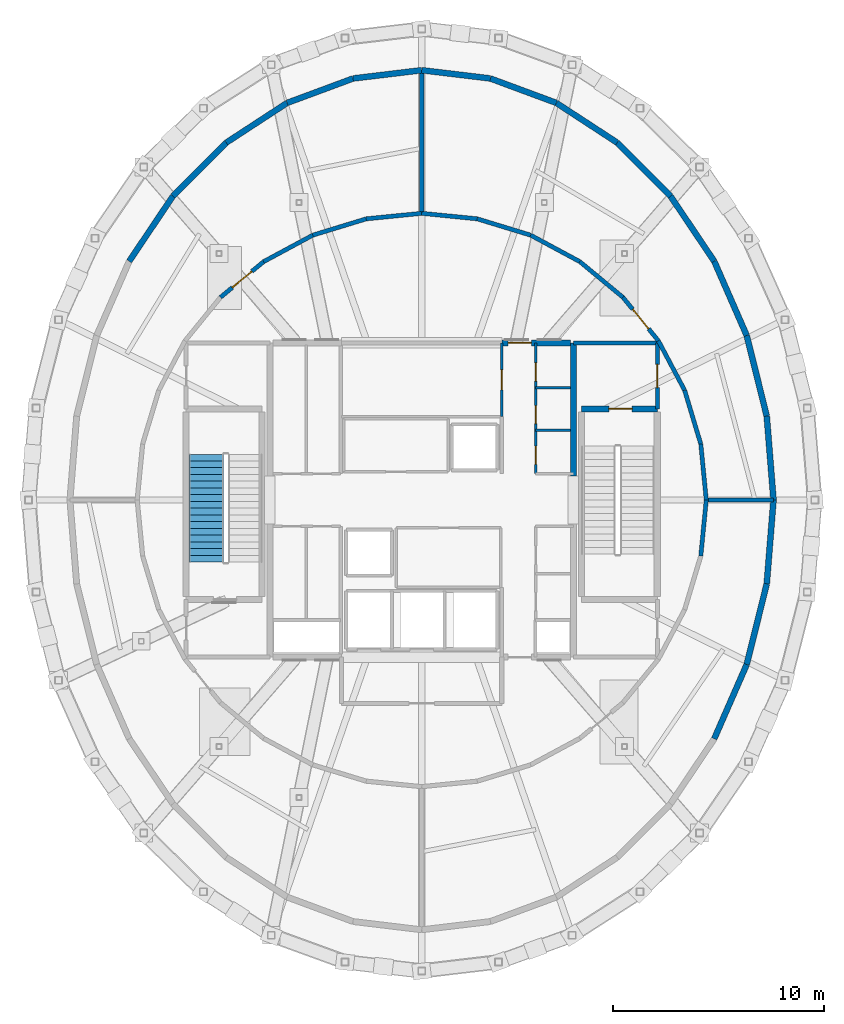
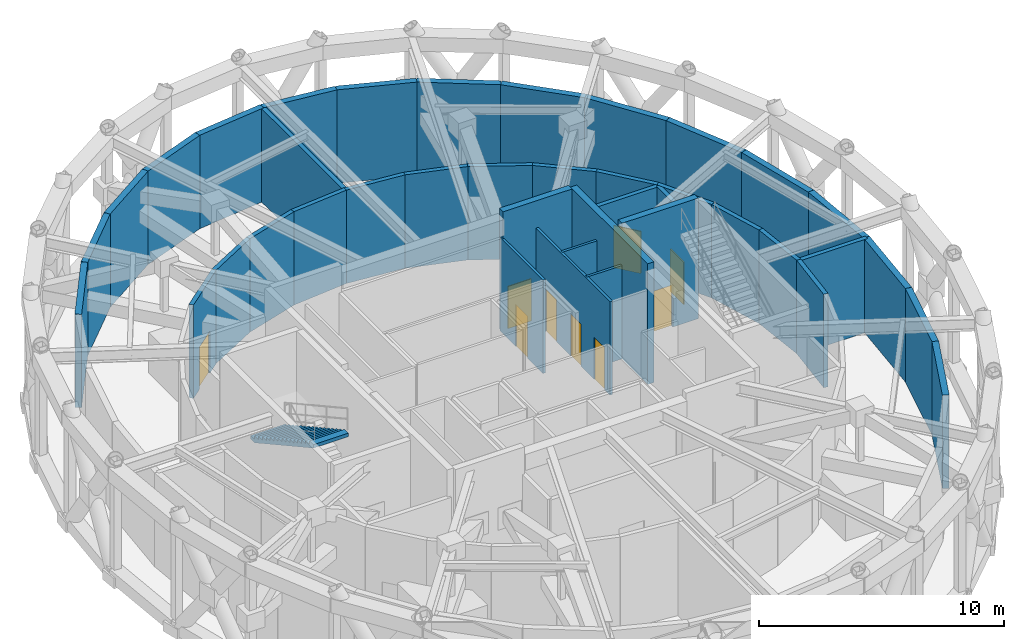
# One storey, part 8 of 11: 40 walls, 9 doors, 1 stair flight, 9 openings, 1 element without a shape of its own.
"""IFC4 building model written with IfcOpenShell, lengths in metres."""

from ifc_helpers import new_model, si_unit, direction, frame, frame_2d, origin, place, context, subcontext, project, spatial, polyline, rectangle, outline, extrude, material, layer, layer_set, type_object, element, fill, aggregate, save


model = new_model("IFC4")

# Units and contexts
model_context = context("Model", 3, precision=1e-05, world=origin(), true_north=direction((0.0, 1.0)))
body_context = subcontext(model_context, "Body", "Model", "MODEL_VIEW")
ifc_project = project(units=[si_unit("LENGTHUNIT", "METRE"), si_unit("AREAUNIT", "SQUARE_METRE"), si_unit("VOLUMEUNIT", "CUBIC_METRE"), si_unit("PLANEANGLEUNIT", "RADIAN"), si_unit("MASSUNIT", "GRAM", prefix="KILO")], contexts=[model_context])

# Site, building, storey
site_placement = place(None, origin())
site = spatial("IfcSite", under=ifc_project, at=site_placement, CompositionType="ELEMENT")
building_placement = place(site_placement, origin())
building = spatial("IfcBuilding", under=site, at=building_placement, Name="Veldorina Hangang Commons", CompositionType="ELEMENT")
storey_placement = place(building_placement, frame((0.0, 0.0, 302.39990234375)))
storey = spatial("IfcBuildingStorey", under=building, at=storey_placement, Name="L79", CompositionType="ELEMENT", Elevation=302.39990234375)

# Wall
ifc_material_1 = material(Name="Concrete C50/60", Category="concrete")
ifc_layer_1 = layer(ifc_material_1, 0.300048828125)
ifc_layer_set_1 = layer_set([ifc_layer_1], Name="Concrete C50/60")
wall_type_1 = type_object("IfcWallType", Name="CW-RC300-C50", PredefinedType="SHEAR", material=ifc_layer_set_1)
wall_1_placement = place(storey_placement, frame((39.199951171875, 25.14990234375, 0.0), z_axis=(0.0, 0.0, 1.0), x_axis=(0.0, 1.0, 0.0)))
element("IfcWall", 1, at=wall_1_placement, inside=storey, type_object=wall_type_1, Name="L79 E north core shear wall", PredefinedType="SHEAR", context=body_context, shape_type="SweptSolid", body=[
    extrude(rectangle(XDim=6.300048828125, YDim=0.300048828125, at=frame_2d((3.14990234375, 0.0))), origin(), (0.0, 0.0, 1.0), 6.0),
])

# Wall, opening, door
wall_2_placement = place(storey_placement, frame((35.800048828125, 31.449951171875, 0.0), z_axis=(0.0, 0.0, 1.0), x_axis=(1.0, 0.0, 0.0)))
wall_2 = element("IfcWall", 2, at=wall_2_placement, inside=storey, type_object=wall_type_1, Name="L79 north-east core shear wall", PredefinedType="SHEAR", context=body_context, shape_type="SweptSolid", body=[
    extrude(rectangle(XDim=3.25, YDim=0.300048828125, at=frame_2d((1.625, 0.0))), origin(), (0.0, 0.0, 1.0), 6.0),
])
opening_1_placement = place(wall_2_placement, frame((0.300048828125, 0.0, 0.0)))
opening_1 = element("IfcOpeningElement", 3, at=opening_1_placement, cuts=wall_2, Name="Opening D-08", PredefinedType="OPENING", context=body_context, shape_type="SweptSolid", body=[
    extrude(rectangle(XDim=1.10009765625, YDim=2.10009765625, at=frame_2d((0.550048828125, 1.050048828125))), frame((0.0, 0.16015625, 0.0), z_axis=(0.0, -1.0, 0.0), x_axis=(1.0, 0.0, 0.0)), (0.0, 0.0, 1.0), 0.320068359375),
])
ifc_material_2 = material(Name="Steel Fire-Rated Smoke Seal", Category="steel")
door_type_1 = type_object("IfcDoorType", Name="DR-FIRE-1100", OperationType="SINGLE_SWING_RIGHT", PredefinedType="DOOR", material=ifc_material_2)
door_1_placement = place(opening_1_placement, origin())
door_1 = element("IfcDoor", 4, at=door_1_placement, inside=storey, type_object=door_type_1, Name="L79 central lift lobby north corridor door", OperationType="SINGLE_SWING_LEFT", OverallHeight=2.10009765625, OverallWidth=1.10009765625, PredefinedType="DOOR", context=body_context, shape_type="SweptSolid", body=[
    extrude(rectangle(XDim=1.10009765625, YDim=2.10009765625, at=frame_2d((0.550048828125, 1.050048828125))), frame((0.0, 0.02490234375, 0.0), z_axis=(0.0, -1.0, 0.0), x_axis=(1.0, 0.0, 0.0)), (0.0, 0.0, 1.0), 0.050048828125),
])
fill(opening_1, door_1)

# Walls
ifc_material_3 = material(Name="Stone Roman Travertine", Category="masonry")
ifc_layer_2 = layer(ifc_material_3, 0.280029296875)
ifc_layer_set_2 = layer_set([ifc_layer_2], Name="Stone Roman Travertine")
wall_type_2 = type_object("IfcWallType", Name="EW-TRAV-280", PredefinedType="STANDARD", material=ifc_layer_set_2)
wall_3_placement = place(storey_placement, frame((48.68994140625, 24.0, 0.0), z_axis=(0.0, 0.0, 1.0), x_axis=(-0.080326348455, 0.996768617957, 0.0)))
element("IfcWall", 5, at=wall_3_placement, inside=storey, type_object=wall_type_2, Name="L79 top plant exterior stone wall 00", PredefinedType="STANDARD", context=body_context, shape_type="SweptSolid", body=[
    extrude(rectangle(XDim=3.99072265625, YDim=0.280029296875, at=frame_2d((1.995361328125, 0.0))), origin(), (0.0, 0.0, 1.0), 4.650146484375),
])
wall_4_placement = place(storey_placement, frame((48.369384765625, 27.977783203125, 0.0), z_axis=(0.0, 0.0, 1.0), x_axis=(-0.241019551513, 0.97052026037, 0.0)))
element("IfcWall", 6, at=wall_4_placement, inside=storey, type_object=wall_type_2, Name="L79 top plant exterior stone wall 01", PredefinedType="STANDARD", context=body_context, shape_type="SweptSolid", body=[
    extrude(rectangle(XDim=3.94140625, YDim=0.280029296875, at=frame_2d((1.970703125, 0.0))), origin(), (0.0, 0.0, 1.0), 4.650146484375),
])
wall_5_placement = place(storey_placement, frame((47.41943359375, 31.802978515625, 0.0), z_axis=(0.0, 0.0, 1.0), x_axis=(-0.400815505477, 0.916158791132, 0.0)))
element("IfcWall", 7, at=wall_5_placement, inside=storey, type_object=wall_type_2, Name="L79 top plant exterior stone wall 02", PredefinedType="STANDARD", context=body_context, shape_type="SweptSolid", body=[
    extrude(rectangle(XDim=3.84765625, YDim=0.280029296875, at=frame_2d((1.923828125, 0.0))), origin(), (0.0, 0.0, 1.0), 4.650146484375),
])
wall_6_placement = place(storey_placement, frame((45.877197265625, 35.328125, 0.0), z_axis=(0.0, 0.0, 1.0), x_axis=(-0.557633086949, 0.830087549804, 0.0)))
element("IfcWall", 8, at=wall_6_placement, inside=storey, type_object=wall_type_2, Name="L79 top plant exterior stone wall 03", PredefinedType="STANDARD", context=body_context, shape_type="SweptSolid", body=[
    extrude(rectangle(XDim=3.722412109375, YDim=0.280029296875, at=frame_2d((1.861328125, 0.0))), origin(), (0.0, 0.0, 1.0), 4.650146484375),
])
wall_7_placement = place(storey_placement, frame((43.801513671875, 38.41796875, 0.0), z_axis=(0.0, 0.0, 1.0), x_axis=(-0.706185870551, 0.708026494019, 0.0)))
element("IfcWall", 9, at=wall_7_placement, inside=storey, type_object=wall_type_2, Name="L79 top plant exterior stone wall 04", PredefinedType="STANDARD", context=body_context, shape_type="SweptSolid", body=[
    extrude(rectangle(XDim=3.581298828125, YDim=0.280029296875, at=frame_2d((1.79052734375, 0.0))), origin(), (0.0, 0.0, 1.0), 4.650146484375),
])
wall_8_placement = place(storey_placement, frame((41.2724609375, 40.95361328125, 0.0), z_axis=(0.0, 0.0, 1.0), x_axis=(-0.837287713191, 0.54676254932, 0.0)))
element("IfcWall", 10, at=wall_8_placement, inside=storey, type_object=wall_type_2, Name="L79 top plant exterior stone wall 05", PredefinedType="STANDARD", context=body_context, shape_type="SweptSolid", body=[
    extrude(rectangle(XDim=3.4462890625, YDim=0.280029296875, at=frame_2d((1.72314453125, 0.0))), origin(), (0.0, 0.0, 1.0), 4.650146484375),
])
wall_9_placement = place(storey_placement, frame((38.386962890625, 42.837890625, 0.0), z_axis=(0.0, 0.0, 1.0), x_axis=(-0.937668473187, 0.347531055291, 0.0)))
element("IfcWall", 11, at=wall_9_placement, inside=storey, type_object=wall_type_2, Name="L79 top plant exterior stone wall 06", PredefinedType="STANDARD", context=body_context, shape_type="SweptSolid", body=[
    extrude(rectangle(XDim=3.3388671875, YDim=0.280029296875, at=frame_2d((1.66943359375, 0.0))), origin(), (0.0, 0.0, 1.0), 4.650146484375),
])
for number, where, z_axis, x_axis, name in (
    (12, (35.256103515625, 43.998291015625, 0.0), (0.0, 0.0, 1.0), (-0.992845453541, 0.119406471281, 0.0), "L79 top plant exterior stone wall 07"),
    (13, (32.0, 44.389892578125, 0.0), (0.0, 0.0, 1.0), (-0.992845453541, -0.119406471281, 0.0), "L79 top plant exterior stone wall 08"),
):
    element("IfcWall", number, at=place(storey_placement, frame(where, z_axis=z_axis, x_axis=x_axis)), inside=storey, type_object=wall_type_2, Name=name, PredefinedType="STANDARD", context=body_context, shape_type="SweptSolid", body=[
        extrude(rectangle(XDim=3.279541015625, YDim=0.280029296875, at=frame_2d((1.6396484375, 0.0))), origin(), (0.0, 0.0, 1.0), 4.650146484375),
    ])
wall_10_placement = place(storey_placement, frame((28.743896484375, 43.998291015625, 0.0), z_axis=(0.0, 0.0, 1.0), x_axis=(-0.937668473187, -0.347531055291, 0.0)))
element("IfcWall", 14, at=wall_10_placement, inside=storey, type_object=wall_type_2, Name="L79 top plant exterior stone wall 09", PredefinedType="STANDARD", context=body_context, shape_type="SweptSolid", body=[
    extrude(rectangle(XDim=3.3388671875, YDim=0.280029296875, at=frame_2d((1.66943359375, 0.0))), origin(), (0.0, 0.0, 1.0), 4.650146484375),
])
wall_11_placement = place(storey_placement, frame((25.613037109375, 42.837890625, 0.0), z_axis=(0.0, 0.0, 1.0), x_axis=(-0.837287713191, -0.54676254932, 0.0)))
element("IfcWall", 15, at=wall_11_placement, inside=storey, type_object=wall_type_2, Name="L79 top plant exterior stone wall 10", PredefinedType="STANDARD", context=body_context, shape_type="SweptSolid", body=[
    extrude(rectangle(XDim=3.4462890625, YDim=0.280029296875, at=frame_2d((1.72314453125, 0.0))), origin(), (0.0, 0.0, 1.0), 4.650146484375),
])
wall_12_placement = place(storey_placement, frame((22.7275390625, 40.95361328125, 0.0), z_axis=(0.0, 0.0, 1.0), x_axis=(-0.706185870551, -0.708026494019, 0.0)))
element("IfcWall", 16, at=wall_12_placement, inside=storey, type_object=wall_type_2, Name="L79 top plant exterior stone wall 11", PredefinedType="STANDARD", context=body_context, shape_type="SweptSolid", body=[
    extrude(rectangle(XDim=3.581298828125, YDim=0.280029296875, at=frame_2d((1.79052734375, 0.0))), origin(), (0.0, 0.0, 1.0), 4.650146484375),
])
wall_13_placement = place(storey_placement, frame((20.198486328125, 38.41796875, 0.0), z_axis=(0.0, 0.0, 1.0), x_axis=(-0.557633086949, -0.830087549804, 0.0)))
element("IfcWall", 17, at=wall_13_placement, inside=storey, type_object=wall_type_2, Name="L79 top plant exterior stone wall 12", PredefinedType="STANDARD", context=body_context, shape_type="SweptSolid", body=[
    extrude(rectangle(XDim=3.722412109375, YDim=0.280029296875, at=frame_2d((1.861328125, 0.0))), origin(), (0.0, 0.0, 1.0), 4.650146484375),
])
wall_14_placement = place(storey_placement, frame((45.877197265625, 12.671875, 0.0), z_axis=(0.0, 0.0, 1.0), x_axis=(0.400815505477, 0.916158791132, 0.0)))
element("IfcWall", 18, at=wall_14_placement, inside=storey, type_object=wall_type_2, Name="L79 top plant exterior stone wall 29", PredefinedType="STANDARD", context=body_context, shape_type="SweptSolid", body=[
    extrude(rectangle(XDim=3.84765625, YDim=0.280029296875, at=frame_2d((1.923828125, 0.0))), origin(), (0.0, 0.0, 1.0), 4.650146484375),
])
wall_15_placement = place(storey_placement, frame((47.41943359375, 16.197021484375, 0.0), z_axis=(0.0, 0.0, 1.0), x_axis=(0.241019551513, 0.97052026037, 0.0)))
element("IfcWall", 19, at=wall_15_placement, inside=storey, type_object=wall_type_2, Name="L79 top plant exterior stone wall 30", PredefinedType="STANDARD", context=body_context, shape_type="SweptSolid", body=[
    extrude(rectangle(XDim=3.94140625, YDim=0.280029296875, at=frame_2d((1.970703125, 0.0))), origin(), (0.0, 0.0, 1.0), 4.650146484375),
])
wall_16_placement = place(storey_placement, frame((48.369384765625, 20.022216796875, 0.0), z_axis=(0.0, 0.0, 1.0), x_axis=(0.080326348455, 0.996768617957, 0.0)))
element("IfcWall", 20, at=wall_16_placement, inside=storey, type_object=wall_type_2, Name="L79 top plant exterior stone wall 31", PredefinedType="STANDARD", context=body_context, shape_type="SweptSolid", body=[
    extrude(rectangle(XDim=3.99072265625, YDim=0.280029296875, at=frame_2d((1.995361328125, 0.0))), origin(), (0.0, 0.0, 1.0), 4.650146484375),
])

# Wall, opening, door
ifc_layer_3 = layer(ifc_material_1, 0.300048828125)
ifc_layer_set_3 = layer_set([ifc_layer_3], Name="Concrete C50/60")
wall_type_3 = type_object("IfcWallType", Name="SW-STAIR-300", PredefinedType="SHEAR", material=ifc_layer_set_3)
wall_17_placement = place(storey_placement, frame((39.580078125, 28.320068359375, 0.0), z_axis=(0.0, 0.0, 1.0), x_axis=(1.0, 0.0, 0.0)))
wall_17 = element("IfcWall", 21, at=wall_17_placement, inside=storey, type_object=wall_type_3, Name="L79 ST2 north stair shear wall", PredefinedType="SHEAR", context=body_context, shape_type="SweptSolid", body=[
    extrude(rectangle(XDim=3.599853515625, YDim=0.300048828125, at=frame_2d((1.7998046875, 0.0))), origin(), (0.0, 0.0, 1.0), 6.0),
])
opening_2_placement = place(wall_17_placement, frame((1.300048828125, 0.0, 0.0)))
opening_2 = element("IfcOpeningElement", 22, at=opening_2_placement, cuts=wall_17, Name="Opening D-08", PredefinedType="OPENING", context=body_context, shape_type="SweptSolid", body=[
    extrude(rectangle(XDim=1.10009765625, YDim=2.10009765625, at=frame_2d((0.550048828125, 1.050048828125))), frame((0.0, 0.16015625, 0.0), z_axis=(0.0, -1.0, 0.0), x_axis=(1.0, 0.0, 0.0)), (0.0, 0.0, 1.0), 0.320068359375),
])
door_2_placement = place(opening_2_placement, origin())
door_2 = element("IfcDoor", 23, at=door_2_placement, inside=storey, type_object=door_type_1, Name="L79 Special Escape Stair ST-2 door", OperationType="SINGLE_SWING_RIGHT", OverallHeight=2.10009765625, OverallWidth=1.10009765625, PredefinedType="DOOR", context=body_context, shape_type="SweptSolid", body=[
    extrude(rectangle(XDim=1.10009765625, YDim=2.10009765625, at=frame_2d((0.550048828125, 1.050048828125))), frame((0.0, 0.02490234375, 0.0), z_axis=(0.0, -1.0, 0.0), x_axis=(1.0, 0.0, 0.0)), (0.0, 0.0, 1.0), 0.050048828125),
])
fill(opening_2, door_2)

ifc_material_4 = material(Name="Concrete Blockwork Fire Wall C30/37", Category="masonry")
ifc_layer_4 = layer(ifc_material_4, 0.199951171875)
ifc_layer_set_4 = layer_set([ifc_layer_4], Name="Concrete Blockwork Fire Wall C30/37")
wall_type_4 = type_object("IfcWallType", Name="WL-FIRE-200", PredefinedType="SOLIDWALL", material=ifc_layer_set_4)
wall_18_placement = place(storey_placement, frame((43.179931640625, 28.320068359375, 0.0), z_axis=(0.0, 0.0, 1.0), x_axis=(0.0, 1.0, 0.0)))
wall_18 = element("IfcWall", 24, at=wall_18_placement, inside=storey, type_object=wall_type_4, Name="L79 East vestibule outer wall 003", PredefinedType="SOLIDWALL", context=body_context, shape_type="SweptSolid", body=[
    extrude(rectangle(XDim=3.1298828125, YDim=0.199951171875, at=frame_2d((1.56494140625, 0.0))), origin(), (0.0, 0.0, 1.0), 4.650146484375),
])
opening_3_placement = place(wall_18_placement, frame((1.014892578125, 0.0, 0.0)))
opening_3 = element("IfcOpeningElement", 25, at=opening_3_placement, cuts=wall_18, Name="Opening D-08", PredefinedType="OPENING", context=body_context, shape_type="SweptSolid", body=[
    extrude(rectangle(XDim=1.10009765625, YDim=2.10009765625, at=frame_2d((0.550048828125, 1.050048828125))), frame((0.0, 0.10986328125, 0.0), z_axis=(0.0, -1.0, 0.0), x_axis=(1.0, 0.0, 0.0)), (0.0, 0.0, 1.0), 0.219970703125),
])
door_3_placement = place(opening_3_placement, origin())
door_3 = element("IfcDoor", 26, at=door_3_placement, inside=storey, type_object=door_type_1, Name="L79 East vestibule east door 002", OperationType="SINGLE_SWING_RIGHT", OverallHeight=2.10009765625, OverallWidth=1.10009765625, PredefinedType="DOOR", context=body_context, shape_type="SweptSolid", body=[
    extrude(rectangle(XDim=1.10009765625, YDim=2.10009765625, at=frame_2d((0.550048828125, 1.050048828125))), frame((0.0, 0.02490234375, 0.0), z_axis=(0.0, -1.0, 0.0), x_axis=(1.0, 0.0, 0.0)), (0.0, 0.0, 1.0), 0.050048828125),
])
fill(opening_3, door_3)

# Walls
wall_19_placement = place(storey_placement, frame((39.199951171875, 31.449951171875, 0.0), z_axis=(0.0, 0.0, 1.0), x_axis=(1.0, 0.0, 0.0)))
element("IfcWall", 27, at=wall_19_placement, inside=storey, type_object=wall_type_4, Name="L79 East vestibule north wall 004", PredefinedType="SOLIDWALL", context=body_context, shape_type="SweptSolid", body=[
    extrude(rectangle(XDim=3.97998046875, YDim=0.199951171875, at=frame_2d((1.989990234375, 0.0))), origin(), (0.0, 0.0, 1.0), 4.650146484375),
])
wall_20_placement = place(storey_placement, frame((45.5, 24.0, 0.0), z_axis=(0.0, 0.0, 1.0), x_axis=(-0.097345549719, 0.995250643783, 0.0)))
element("IfcWall", 28, at=wall_20_placement, inside=storey, type_object=wall_type_4, Name="L79 L79 corridor wall 00 055", PredefinedType="SOLIDWALL", context=body_context, shape_type="SweptSolid", body=[
    extrude(rectangle(XDim=2.666015625, YDim=0.199951171875, at=frame_2d((1.3330078125, 0.0))), origin(), (0.0, 0.0, 1.0), 4.650146484375),
])
wall_21_placement = place(storey_placement, frame((45.240478515625, 26.6533203125, 0.0), z_axis=(0.0, 0.0, 1.0), x_axis=(-0.288272472485, 0.957548422591, 0.0)))
element("IfcWall", 29, at=wall_21_placement, inside=storey, type_object=wall_type_4, Name="L79 L79 corridor wall 01 056", PredefinedType="SOLIDWALL", context=body_context, shape_type="SweptSolid", body=[
    extrude(rectangle(XDim=2.664306640625, YDim=0.199951171875, at=frame_2d((1.33203125, 0.0))), origin(), (0.0, 0.0, 1.0), 4.650146484375),
])
wall_22_placement = place(storey_placement, frame((44.472412109375, 29.20458984375, 0.0), z_axis=(0.0, 0.0, 1.0), x_axis=(-0.468692436902, 0.883361420705, 0.0)))
element("IfcWall", 30, at=wall_22_placement, inside=storey, type_object=wall_type_4, Name="L79 L79 corridor wall 02 057", PredefinedType="SOLIDWALL", context=body_context, shape_type="SweptSolid", body=[
    extrude(rectangle(XDim=2.661865234375, YDim=0.199951171875, at=frame_2d((1.3310546875, 0.0))), origin(), (0.0, 0.0, 1.0), 4.650146484375),
])

# Wall, opening, door
wall_23_placement = place(storey_placement, frame((43.224853515625, 31.555908203125, 0.0), z_axis=(0.0, 0.0, 1.0), x_axis=(-0.631625929015, 0.775273297487, 0.0)))
wall_23 = element("IfcWall", 31, at=wall_23_placement, inside=storey, type_object=wall_type_4, Name="L79 L79 corridor wall 03 058", PredefinedType="SOLIDWALL", context=body_context, shape_type="SweptSolid", body=[
    extrude(rectangle(XDim=2.658203125, YDim=0.199951171875, at=frame_2d((1.3291015625, 0.0))), origin(), (0.0, 0.0, 1.0), 4.650146484375),
])
opening_4_placement = place(wall_23_placement, frame((0.72900390625, 0.0, 0.0)))
opening_4 = element("IfcOpeningElement", 32, at=opening_4_placement, cuts=wall_23, Name="Opening D-10", PredefinedType="OPENING", context=body_context, shape_type="SweptSolid", body=[
    extrude(rectangle(XDim=1.199951171875, YDim=2.10009765625, at=frame_2d((0.60009765625, 1.050048828125))), frame((0.0, 0.10986328125, 0.0), z_axis=(0.0, -1.0, 0.0), x_axis=(1.0, 0.0, 0.0)), (0.0, 0.0, 1.0), 0.219970703125),
])
ifc_material_5 = material(Name="Steel Heavy-Duty Acoustic Plant", Category="steel")
door_type_2 = type_object("IfcDoorType", Name="DR-PLANT-1200", OperationType="SINGLE_SWING_RIGHT", PredefinedType="DOOR", material=ifc_material_5)
door_4_placement = place(opening_4_placement, origin())
door_4 = element("IfcDoor", 33, at=door_4_placement, inside=storey, type_object=door_type_2, Name="L79 Top Heat Rejection Chiller Room door 020", OperationType="SINGLE_SWING_RIGHT", OverallHeight=2.10009765625, OverallWidth=1.199951171875, PredefinedType="DOOR", context=body_context, shape_type="SweptSolid", body=[
    extrude(rectangle(XDim=1.199951171875, YDim=2.10009765625, at=frame_2d((0.60009765625, 1.050048828125))), frame((0.0, 0.02490234375, 0.0), z_axis=(0.0, -1.0, 0.0), x_axis=(1.0, 0.0, 0.0)), (0.0, 0.0, 1.0), 0.050048828125),
])
fill(opening_4, door_4)

# Walls
wall_24_placement = place(storey_placement, frame((41.5458984375, 33.61669921875, 0.0), z_axis=(0.0, 0.0, 1.0), x_axis=(-0.770680886444, 0.63722128909, 0.0)))
element("IfcWall", 34, at=wall_24_placement, inside=storey, type_object=wall_type_4, Name="L79 L79 corridor wall 04 059", PredefinedType="SOLIDWALL", context=body_context, shape_type="SweptSolid", body=[
    extrude(rectangle(XDim=2.654296875, YDim=0.199951171875, at=frame_2d((1.3271484375, 0.0))), origin(), (0.0, 0.0, 1.0), 4.650146484375),
])
wall_25_placement = place(storey_placement, frame((39.500244140625, 35.30810546875, 0.0), z_axis=(0.0, 0.0, 1.0), x_axis=(-0.880497715246, 0.474050391252, 0.0)))
element("IfcWall", 35, at=wall_25_placement, inside=storey, type_object=wall_type_4, Name="L79 L79 corridor wall 05 060", PredefinedType="SOLIDWALL", context=body_context, shape_type="SweptSolid", body=[
    extrude(rectangle(XDim=2.650634765625, YDim=0.199951171875, at=frame_2d((1.3251953125, 0.0))), origin(), (0.0, 0.0, 1.0), 4.650146484375),
])
wall_26_placement = place(storey_placement, frame((37.166259765625, 36.564697265625, 0.0), z_axis=(0.0, 0.0, 1.0), x_axis=(-0.956339403337, 0.292258354244, 0.0)))
element("IfcWall", 36, at=wall_26_placement, inside=storey, type_object=wall_type_4, Name="L79 L79 corridor wall 06 061", PredefinedType="SOLIDWALL", context=body_context, shape_type="SweptSolid", body=[
    extrude(rectangle(XDim=2.648193359375, YDim=0.199951171875, at=frame_2d((1.32421875, 0.0))), origin(), (0.0, 0.0, 1.0), 4.650146484375),
])
for number, where, z_axis, x_axis, name in (
    (37, (34.6337890625, 37.338623046875, 0.0), (0.0, 0.0, 1.0), (-0.995108171714, 0.098791328504, 0.0), "L79 L79 corridor wall 07 062"),
    (38, (32.0, 37.60009765625, 0.0), (0.0, 0.0, 1.0), (-0.995108171714, -0.098791328504, 0.0), "L79 L79 corridor wall 08 063"),
):
    element("IfcWall", number, at=place(storey_placement, frame(where, z_axis=z_axis, x_axis=x_axis)), inside=storey, type_object=wall_type_4, Name=name, PredefinedType="SOLIDWALL", context=body_context, shape_type="SweptSolid", body=[
        extrude(rectangle(XDim=2.646728515625, YDim=0.199951171875, at=frame_2d((1.3232421875, 0.0))), origin(), (0.0, 0.0, 1.0), 4.650146484375),
    ])
wall_27_placement = place(storey_placement, frame((29.3662109375, 37.338623046875, 0.0), z_axis=(0.0, 0.0, 1.0), x_axis=(-0.956339403337, -0.292258354244, 0.0)))
element("IfcWall", 39, at=wall_27_placement, inside=storey, type_object=wall_type_4, Name="L79 L79 corridor wall 09 064", PredefinedType="SOLIDWALL", context=body_context, shape_type="SweptSolid", body=[
    extrude(rectangle(XDim=2.648193359375, YDim=0.199951171875, at=frame_2d((1.32421875, 0.0))), origin(), (0.0, 0.0, 1.0), 4.650146484375),
])
wall_28_placement = place(storey_placement, frame((26.833740234375, 36.564697265625, 0.0), z_axis=(0.0, 0.0, 1.0), x_axis=(-0.880497715246, -0.474050391252, 0.0)))
element("IfcWall", 40, at=wall_28_placement, inside=storey, type_object=wall_type_4, Name="L79 L79 corridor wall 10 065", PredefinedType="SOLIDWALL", context=body_context, shape_type="SweptSolid", body=[
    extrude(rectangle(XDim=2.650634765625, YDim=0.199951171875, at=frame_2d((1.3251953125, 0.0))), origin(), (0.0, 0.0, 1.0), 4.650146484375),
])

# Wall, opening, door
wall_29_placement = place(storey_placement, frame((24.499755859375, 35.30810546875, 0.0), z_axis=(0.0, 0.0, 1.0), x_axis=(-0.770680886444, -0.63722128909, 0.0)))
wall_29 = element("IfcWall", 41, at=wall_29_placement, inside=storey, type_object=wall_type_4, Name="L79 L79 corridor wall 11 066", PredefinedType="SOLIDWALL", context=body_context, shape_type="SweptSolid", body=[
    extrude(rectangle(XDim=2.654296875, YDim=0.199951171875, at=frame_2d((1.3271484375, 0.0))), origin(), (0.0, 0.0, 1.0), 4.650146484375),
])
opening_5_placement = place(wall_29_placement, frame((0.727294921875, 0.0, 0.0)))
opening_5 = element("IfcOpeningElement", 42, at=opening_5_placement, cuts=wall_29, Name="Opening D-10", PredefinedType="OPENING", context=body_context, shape_type="SweptSolid", body=[
    extrude(rectangle(XDim=1.199951171875, YDim=2.10009765625, at=frame_2d((0.60009765625, 1.050048828125))), frame((0.0, 0.10986328125, 0.0), z_axis=(0.0, -1.0, 0.0), x_axis=(1.0, 0.0, 0.0)), (0.0, 0.0, 1.0), 0.219970703125),
])
door_5_placement = place(opening_5_placement, origin())
door_5 = element("IfcDoor", 43, at=door_5_placement, inside=storey, type_object=door_type_2, Name="L79 High-Zone Exhaust and AHU Plant Room door 021", OperationType="SINGLE_SWING_LEFT", OverallHeight=2.10009765625, OverallWidth=1.199951171875, PredefinedType="DOOR", context=body_context, shape_type="SweptSolid", body=[
    extrude(rectangle(XDim=1.199951171875, YDim=2.10009765625, at=frame_2d((0.60009765625, 1.050048828125))), frame((0.0, 0.02490234375, 0.0), z_axis=(0.0, -1.0, 0.0), x_axis=(1.0, 0.0, 0.0)), (0.0, 0.0, 1.0), 0.050048828125),
])
fill(opening_5, door_5)

# Walls
wall_30_placement = place(storey_placement, frame((45.240478515625, 21.3466796875, 0.0), z_axis=(0.0, 0.0, 1.0), x_axis=(0.097345549719, 0.995250643783, 0.0)))
element("IfcWall", 44, at=wall_30_placement, inside=storey, type_object=wall_type_4, Name="L79 L79 corridor wall 31 086", PredefinedType="SOLIDWALL", context=body_context, shape_type="SweptSolid", body=[
    extrude(rectangle(XDim=2.666015625, YDim=0.199951171875, at=frame_2d((1.3330078125, 0.0))), origin(), (0.0, 0.0, 1.0), 4.650146484375),
])
wall_31_placement = place(storey_placement, frame((45.5, 24.0, 0.0), z_axis=(0.0, 0.0, 1.0), x_axis=(1.0, 0.0, 0.0)))
element("IfcWall", 45, at=wall_31_placement, inside=storey, type_object=wall_type_4, Name="L79 Top Heat Rejection Chiller Room wall 087", PredefinedType="SOLIDWALL", context=body_context, shape_type="SweptSolid", body=[
    extrude(rectangle(XDim=3.18994140625, YDim=0.199951171875, at=frame_2d((1.594970703125, 0.0))), origin(), (0.0, 0.0, 1.0), 4.650146484375),
])
wall_32_placement = place(storey_placement, frame((32.0, 37.60009765625, 0.0), z_axis=(0.0, 0.0, 1.0), x_axis=(0.0, 1.0, 0.0)))
element("IfcWall", 46, at=wall_32_placement, inside=storey, type_object=wall_type_4, Name="L79 High-Zone Exhaust and AHU Plant Room wall 088", PredefinedType="SOLIDWALL", context=body_context, shape_type="SweptSolid", body=[
    extrude(rectangle(XDim=6.789794921875, YDim=0.199951171875, at=frame_2d((3.39501953125, 0.0))), origin(), (0.0, 0.0, 1.0), 4.650146484375),
])

# Wall, opening, door
ifc_material_6 = material(Name="Gypsum Acoustic Stud Partition", Category="gypsum")
ifc_layer_5 = layer(ifc_material_6, 0.1201171875)
ifc_layer_set_5 = layer_set([ifc_layer_5], Name="Gypsum Acoustic Stud Partition")
wall_type_5 = type_object("IfcWallType", Name="WL-PART-120", PredefinedType="PARTITIONING", material=ifc_layer_set_5)
wall_33_placement = place(storey_placement, frame((35.800048828125, 27.949951171875, 0.0), z_axis=(0.0, 0.0, 1.0), x_axis=(0.0, 1.0, 0.0)))
wall_33 = element("IfcWall", 47, at=wall_33_placement, inside=storey, type_object=wall_type_5, Name="L79 Merged north east wall 031", PredefinedType="PARTITIONING", context=body_context, shape_type="SweptSolid", body=[
    extrude(rectangle(XDim=3.5, YDim=0.1201171875, at=frame_2d((1.75, 0.0))), origin(), (0.0, 0.0, 1.0), 4.650146484375),
])
opening_6_placement = place(wall_33_placement, frame((1.27490234375, 0.0, 0.0)))
opening_6 = element("IfcOpeningElement", 48, at=opening_6_placement, cuts=wall_33, Name="Opening D-02", PredefinedType="OPENING", context=body_context, shape_type="SweptSolid", body=[
    extrude(rectangle(XDim=0.949951171875, YDim=2.10009765625, at=frame_2d((0.47509765625, 1.050048828125))), frame((0.0, 0.070068359375, 0.0), z_axis=(0.0, -1.0, 0.0), x_axis=(1.0, 0.0, 0.0)), (0.0, 0.0, 1.0), 0.14013671875),
])
ifc_material_7 = material(Name="Timber Solid Core Acoustic", Category="wood")
door_type_3 = type_object("IfcDoorType", Name="DR-INT-950", OperationType="SINGLE_SWING_LEFT", PredefinedType="DOOR", material=ifc_material_7)
door_6_placement = place(opening_6_placement, origin())
door_6 = element("IfcDoor", 49, at=door_6_placement, inside=storey, type_object=door_type_3, Name="L79 Merged north room lobby door 008", OperationType="SINGLE_SWING_RIGHT", OverallHeight=2.10009765625, OverallWidth=0.949951171875, PredefinedType="DOOR", context=body_context, shape_type="SweptSolid", body=[
    extrude(rectangle(XDim=0.949951171875, YDim=2.10009765625, at=frame_2d((0.47509765625, 1.050048828125))), frame((0.0, 0.02490234375, 0.0), z_axis=(0.0, -1.0, 0.0), x_axis=(1.0, 0.0, 0.0)), (0.0, 0.0, 1.0), 0.050048828125),
])
fill(opening_6, door_6)

# Wall, openings, doors
wall_34_placement = place(storey_placement, frame((37.39990234375, 25.25, 0.0), z_axis=(0.0, 0.0, 1.0), x_axis=(0.0, 1.0, 0.0)))
wall_34 = element("IfcWall", 50, at=wall_34_placement, inside=storey, type_object=wall_type_5, Name="L79 NE strip lobby wall 046", PredefinedType="PARTITIONING", context=body_context, shape_type="SweptSolid", body=[
    extrude(rectangle(XDim=6.199951171875, YDim=0.1201171875, at=frame_2d((3.10009765625, 0.0))), origin(), (0.0, 0.0, 1.0), 4.650146484375),
])
opening_7_placement = place(wall_34_placement, frame((0.43994140625, 0.0, 0.0)))
opening_7 = element("IfcOpeningElement", 51, at=opening_7_placement, cuts=wall_34, Name="Opening D-01", PredefinedType="OPENING", context=body_context, shape_type="SweptSolid", body=[
    extrude(rectangle(XDim=0.860107421875, YDim=2.10009765625, at=frame_2d((0.43017578125, 1.050048828125))), frame((0.0, 0.070068359375, 0.0), z_axis=(0.0, -1.0, 0.0), x_axis=(1.0, 0.0, 0.0)), (0.0, 0.0, 1.0), 0.14013671875),
])
opening_8_placement = place(wall_34_placement, frame((2.3701171875, 0.0, 0.0)))
opening_8 = element("IfcOpeningElement", 52, at=opening_8_placement, cuts=wall_34, Name="Opening D-01", PredefinedType="OPENING", context=body_context, shape_type="SweptSolid", body=[
    extrude(rectangle(XDim=0.860107421875, YDim=2.10009765625, at=frame_2d((0.43017578125, 1.050048828125))), frame((0.0, 0.070068359375, 0.0), z_axis=(0.0, -1.0, 0.0), x_axis=(1.0, 0.0, 0.0)), (0.0, 0.0, 1.0), 0.14013671875),
])
opening_9_placement = place(wall_34_placement, frame((4.389892578125, 0.0, 0.0)))
opening_9 = element("IfcOpeningElement", 53, at=opening_9_placement, cuts=wall_34, Name="Opening D-01", PredefinedType="OPENING", context=body_context, shape_type="SweptSolid", body=[
    extrude(rectangle(XDim=0.860107421875, YDim=2.10009765625, at=frame_2d((0.43017578125, 1.050048828125))), frame((0.0, 0.070068359375, 0.0), z_axis=(0.0, -1.0, 0.0), x_axis=(1.0, 0.0, 0.0)), (0.0, 0.0, 1.0), 0.14013671875),
])
ifc_material_8 = material(Name="Timber Moisture-Resistant Core", Category="wood")
door_type_4 = type_object("IfcDoorType", Name="DR-WET-860", OperationType="SINGLE_SWING_LEFT", PredefinedType="DOOR", material=ifc_material_8)
door_7_placement = place(opening_7_placement, origin())
door_7 = element("IfcDoor", 54, at=door_7_placement, inside=storey, type_object=door_type_4, Name="L79 Fiber Riser Closet door 015", OperationType="SINGLE_SWING_LEFT", OverallHeight=2.10009765625, OverallWidth=0.860107421875, PredefinedType="DOOR", context=body_context, shape_type="SweptSolid", body=[
    extrude(rectangle(XDim=0.860107421875, YDim=2.10009765625, at=frame_2d((0.43017578125, 1.050048828125))), frame((0.0, 0.02490234375, 0.0), z_axis=(0.0, -1.0, 0.0), x_axis=(1.0, 0.0, 0.0)), (0.0, 0.0, 1.0), 0.050048828125),
])
fill(opening_7, door_7)
door_8_placement = place(opening_8_placement, origin())
door_8 = element("IfcDoor", 55, at=door_8_placement, inside=storey, type_object=door_type_4, Name="L79 AV Rack Closet door 016", OperationType="SINGLE_SWING_RIGHT", OverallHeight=2.10009765625, OverallWidth=0.860107421875, PredefinedType="DOOR", context=body_context, shape_type="SweptSolid", body=[
    extrude(rectangle(XDim=0.860107421875, YDim=2.10009765625, at=frame_2d((0.43017578125, 1.050048828125))), frame((0.0, 0.02490234375, 0.0), z_axis=(0.0, -1.0, 0.0), x_axis=(1.0, 0.0, 0.0)), (0.0, 0.0, 1.0), 0.050048828125),
])
fill(opening_8, door_8)
door_9_placement = place(opening_9_placement, origin())
door_9 = element("IfcDoor", 56, at=door_9_placement, inside=storey, type_object=door_type_4, Name="L79 Supply Closet door 017", OperationType="SINGLE_SWING_LEFT", OverallHeight=2.10009765625, OverallWidth=0.860107421875, PredefinedType="DOOR", context=body_context, shape_type="SweptSolid", body=[
    extrude(rectangle(XDim=0.860107421875, YDim=2.10009765625, at=frame_2d((0.43017578125, 1.050048828125))), frame((0.0, 0.02490234375, 0.0), z_axis=(0.0, -1.0, 0.0), x_axis=(1.0, 0.0, 0.0)), (0.0, 0.0, 1.0), 0.050048828125),
])
fill(opening_9, door_9)

# Walls
for number, where, z_axis, x_axis, name in (
    (57, (37.39990234375, 27.300048828125, 0.0), (0.0, 0.0, 1.0), (1.0, 0.0, 0.0), "L79 NE split 1 052"),
    (58, (37.39990234375, 29.330078125, 0.0), (0.0, 0.0, 1.0), (1.0, 0.0, 0.0), "L79 NE split 2 053"),
):
    element("IfcWall", number, at=place(storey_placement, frame(where, z_axis=z_axis, x_axis=x_axis)), inside=storey, type_object=wall_type_5, Name=name, PredefinedType="PARTITIONING", context=body_context, shape_type="SweptSolid", body=[
        extrude(rectangle(XDim=1.650146484375, YDim=0.1201171875, at=frame_2d((0.8251953125, 0.0))), origin(), (0.0, 0.0, 1.0), 4.650146484375),
    ])

# Stair, stair flight
ifc_material_9 = material(Name="Concrete C40/50", Category="concrete")
stair_type = type_object("IfcStairType", Name="STR-DOG-1650-34R", PredefinedType="HALF_TURN_STAIR", material=ifc_material_9)
stair_placement = place(storey_placement, origin())
stair = element("IfcStair", 59, at=stair_placement, inside=storey, type_object=stair_type, Name="L79 Exit stair ST-1", PredefinedType="HALF_TURN_STAIR")
stair_flight_type = type_object("IfcStairFlightType", Name="SFL-STR-1650-34R", PredefinedType="STRAIGHT", material=ifc_material_9)
stair_flight_placement = place(storey_placement, frame((21.77490234375, 26.169921875, 3.0), z_axis=(0.0, 0.0, 1.0), x_axis=(0.0, -1.0, 0.0)))
stair_flight = element("IfcStairFlight", 60, at=stair_flight_placement, type_object=stair_flight_type, Name="ST-1 flight 2", NumberOfRisers=17, NumberOfTreads=16, PredefinedType="STRAIGHT", RiserHeight=0.176470588, TreadLength=0.32, context=body_context, shape_type="SweptSolid", body=[
    extrude(outline(polyline([(0.0, 0.0), (0.0, 0.176513671875), (0.320068359375, 0.176513671875), (0.320068359375, 0.35302734375), (0.639892578125, 0.35302734375), (0.639892578125, 0.529296875), (0.9599609375, 0.529296875), (0.9599609375, 0.705810546875), (1.280029296875, 0.705810546875), (1.280029296875, 0.88232421875), (1.60009765625, 0.88232421875), (1.60009765625, 1.058837890625), (1.919921875, 1.058837890625), (1.919921875, 1.2353515625), (2.239990234375, 1.2353515625), (2.239990234375, 1.411865234375), (2.56005859375, 1.411865234375), (2.56005859375, 1.588134765625), (2.8798828125, 1.588134765625), (2.8798828125, 1.7646484375), (3.199951171875, 1.7646484375), (3.199951171875, 1.941162109375), (3.52001953125, 1.941162109375), (3.52001953125, 2.11767578125), (3.840087890625, 2.11767578125), (3.840087890625, 2.294189453125), (4.159912109375, 2.294189453125), (4.159912109375, 2.470703125), (4.47998046875, 2.470703125), (4.47998046875, 2.64697265625), (4.800048828125, 2.64697265625), (4.800048828125, 2.823486328125), (5.1201171875, 2.823486328125), (5.1201171875, 3.0), (5.1201171875, 2.65234375), (0.310302734375, 0.0), (0.0, 0.0)])), frame((0.0, 0.824951171875, 0.0), z_axis=(0.0, -1.0, 0.0), x_axis=(1.0, 0.0, 0.0)), (0.0, 0.0, 1.0), 1.64990234375),
])
aggregate(stair, [stair_flight])

save(model, "model.ifc")
